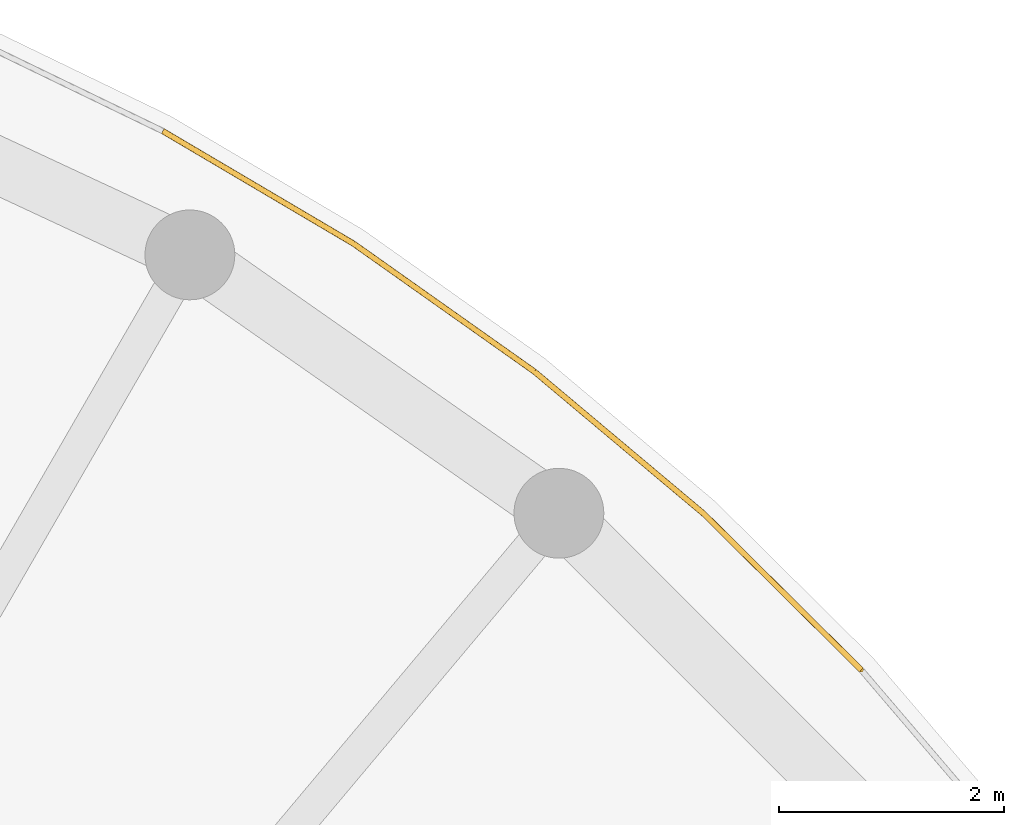
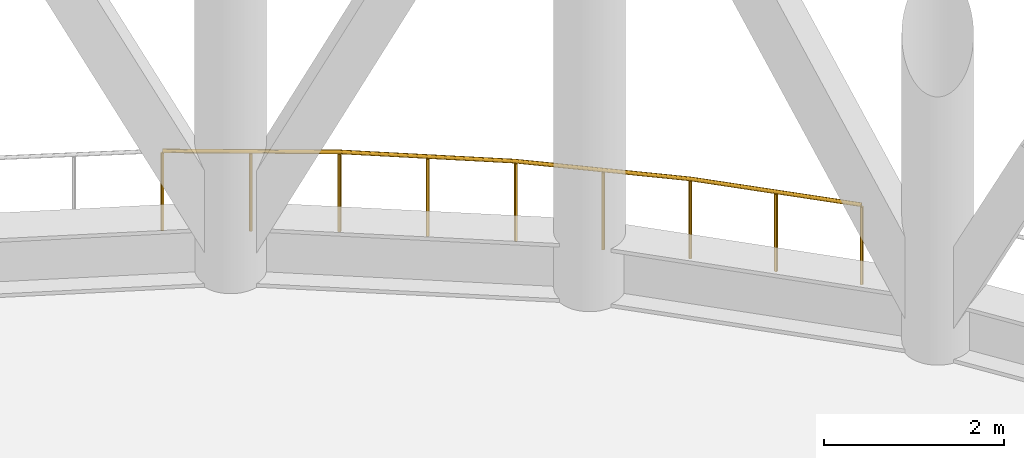
# One storey, part 10 of 10: 1 railing.
"""IFC4 building model written with IfcOpenShell, lengths in metres."""

from ifc_helpers import new_model, si_unit, direction, frame, origin, origin_2d, place, context, subcontext, project, spatial, circle, extrude, material, type_object, element, save


model = new_model("IFC4")

# Units and contexts
model_context = context("Model", 3, precision=1e-05, world=origin(), true_north=direction((0.0, 1.0)))
body_context = subcontext(model_context, "Body", "Model", "MODEL_VIEW")
ifc_project = project(units=[si_unit("LENGTHUNIT", "METRE"), si_unit("AREAUNIT", "SQUARE_METRE"), si_unit("VOLUMEUNIT", "CUBIC_METRE"), si_unit("PLANEANGLEUNIT", "RADIAN"), si_unit("MASSUNIT", "GRAM", prefix="KILO")], contexts=[model_context])

# Site, building, storey
site_placement = place(None, origin())
site = spatial("IfcSite", under=ifc_project, at=site_placement, CompositionType="ELEMENT")
building_placement = place(site_placement, origin())
building = spatial("IfcBuilding", under=site, at=building_placement, Name="Tamarind Cross Interchange Tower", CompositionType="ELEMENT")
storey_placement = place(building_placement, frame((0.0, 0.0, 278.39990234375)))
storey = spatial("IfcBuildingStorey", under=building, at=storey_placement, Name="L71", CompositionType="ELEMENT", Elevation=278.39990234375)

# Railing
ifc_material = material(Name="Stainless steel and laminated glass", Category="steel")
railing_type = type_object("IfcRailingType", Name="Balcony guard", PredefinedType="BALUSTRADE", material=ifc_material)
railing_placement = place(storey_placement, frame((17.474365234375, 16.2255859375, 0.0)))
element("IfcRailing", 1, at=railing_placement, inside=storey, type_object=railing_type, Name="Portal guard 01-15", PredefinedType="BALUSTRADE", context=body_context, shape_type="SweptSolid", body=[
    extrude(circle(Radius=0.02490234375, at=origin_2d()), frame((0.0, 0.0, 1.0751953125), z_axis=(-0.710135033947, 0.704065503743, 0.0), x_axis=(-0.704065503743, -0.710135033947, 0.0)), (0.0, 0.0, 1.0), 1.970947265625),
    extrude(circle(Radius=0.02490234375, at=origin_2d()), frame((-1.399658203125, 1.3876953125, 1.0751953125), z_axis=(-0.765870770203, 0.642994528242, 0.0), x_axis=(-0.642994528242, -0.765870770203, 0.0)), (0.0, 0.0, 1.0), 1.970947265625),
    extrude(circle(Radius=0.02490234375, at=origin_2d()), frame((-2.9091796875, 2.655029296875, 1.0751953125), z_axis=(-0.816370053791, 0.577529164002, 0.0), x_axis=(-0.577529164002, -0.816370053791, 0.0)), (0.0, 0.0, 1.0), 1.970703125),
    extrude(circle(Radius=0.02490234375, at=origin_2d()), frame((-4.51806640625, 3.793212890625, 1.0751953125), z_axis=(-0.861197684667, 0.508270152501, 0.0), x_axis=(-0.508270152501, -0.861197684667, 0.0)), (0.0, 0.0, 1.0), 1.970703125),
    extrude(circle(Radius=0.02001953125, at=origin_2d()), origin(), (0.0, 0.0, 1.0), 1.050048828125),
    extrude(circle(Radius=0.02001953125, at=origin_2d()), frame((-0.69970703125, 0.69384765625, 0.0)), (0.0, 0.0, 1.0), 1.050048828125),
    extrude(circle(Radius=0.02001953125, at=origin_2d()), frame((-1.399658203125, 1.3876953125, 0.0)), (0.0, 0.0, 1.0), 1.050048828125),
    extrude(circle(Radius=0.02001953125, at=origin_2d()), frame((-2.154296875, 2.021484375, 0.0)), (0.0, 0.0, 1.0), 1.050048828125),
    extrude(circle(Radius=0.02001953125, at=origin_2d()), frame((-2.9091796875, 2.655029296875, 0.0)), (0.0, 0.0, 1.0), 1.050048828125),
    extrude(circle(Radius=0.02001953125, at=origin_2d()), frame((-3.713623046875, 3.22412109375, 0.0)), (0.0, 0.0, 1.0), 1.050048828125),
    extrude(circle(Radius=0.02001953125, at=origin_2d()), frame((-4.51806640625, 3.793212890625, 0.0)), (0.0, 0.0, 1.0), 1.050048828125),
    extrude(circle(Radius=0.02001953125, at=origin_2d()), frame((-5.36669921875, 4.2939453125, 0.0)), (0.0, 0.0, 1.0), 1.050048828125),
    extrude(circle(Radius=0.02001953125, at=origin_2d()), frame((-6.21533203125, 4.794921875, 0.0)), (0.0, 0.0, 1.0), 1.050048828125),
])

save(model, "model.ifc")
